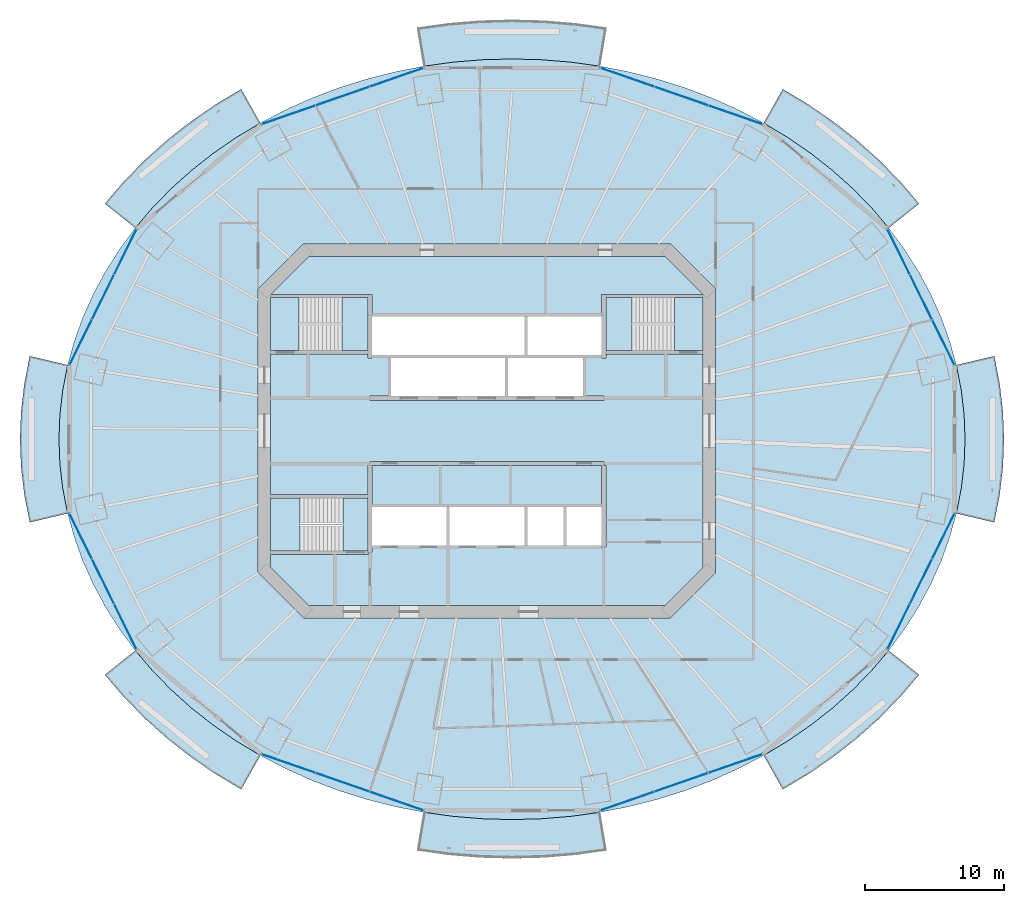
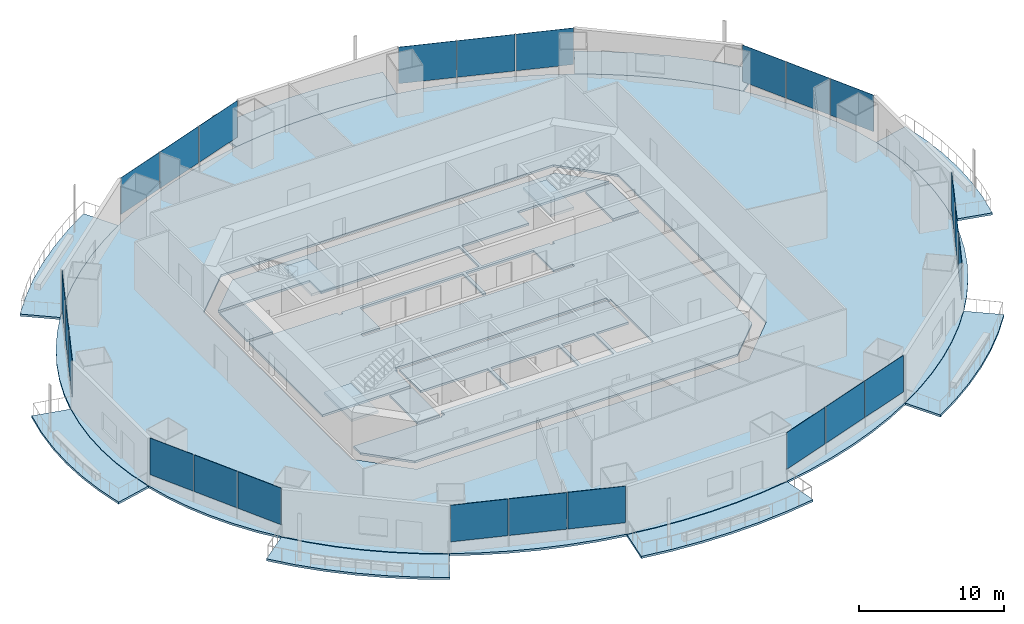
# One storey, part 10 of 20: 24 plates, 16 slabs, 11 elements without a shape of their own.
"""IFC4 building model written with IfcOpenShell, lengths in metres."""

from ifc_helpers import new_model, si_unit, direction, frame, origin, origin_2d, place, context, subcontext, project, spatial, polyline, rectangle, outline, extrude, material, layer, layer_set, type_object, element, aggregate, save


model = new_model("IFC4")

# Units and contexts
model_context = context("Model", 3, precision=1e-05, world=origin(), true_north=direction((0.0, 1.0)))
body_context = subcontext(model_context, "Body", "Model", "MODEL_VIEW")
ifc_project = project(units=[si_unit("LENGTHUNIT", "METRE"), si_unit("AREAUNIT", "SQUARE_METRE"), si_unit("VOLUMEUNIT", "CUBIC_METRE"), si_unit("PLANEANGLEUNIT", "RADIAN"), si_unit("MASSUNIT", "GRAM", prefix="KILO")], contexts=[model_context])

# Site, building, storey
site_placement = place(None, origin())
site = spatial("IfcSite", under=ifc_project, at=site_placement, CompositionType="ELEMENT")
building_placement = place(site_placement, origin())
building = spatial("IfcBuilding", under=site, at=building_placement, Name="Marenthal Gate Tower", CompositionType="ELEMENT")
storey_placement = place(building_placement, frame((0.0, 0.0, 173.5)))
storey = spatial("IfcBuildingStorey", under=building, at=storey_placement, Name="L37", CompositionType="ELEMENT", Elevation=173.5)

# Slabs
ifc_material_1 = material(Name="Concrete 40 MPa", Category="concrete")
ifc_layer_1 = layer(ifc_material_1, 0.179931640625)
ifc_layer_set_1 = layer_set([ifc_layer_1], Name="Balcony deck 180")
slab_type_1 = type_object("IfcSlabType", Name="Balcony deck 180", PredefinedType="USERDEFINED", material=ifc_layer_set_1)
slab_1_placement = place(storey_placement, frame((0.0, 0.0, -0.219970703125)))
element("IfcSlab", 1, at=slab_1_placement, inside=storey, type_object=slab_type_1, Name="Balcony deck L37 bay 2", ObjectType="BALCONY", PredefinedType="USERDEFINED", context=body_context, shape_type="SweptSolid", body=[
    extrude(outline(polyline([(28.88671875, 14.592529296875), (27.64501953125, 16.047119140625), (26.292724609375, 17.430419921875), (24.83544921875, 18.736572265625), (23.279541015625, 19.959716796875), (21.631591796875, 21.094970703125), (19.898681640625, 22.137451171875), (21.2685546875, 24.57958984375), (23.147705078125, 23.448974609375), (24.939453125, 22.214599609375), (26.635498046875, 20.881103515625), (28.228759765625, 19.453125), (29.711669921875, 17.936279296875), (31.077392578125, 16.33642578125), (28.88671875, 14.592529296875)])), origin(), (0.0, 0.0, 1.0), 0.179931640625),
])
slab_2_placement = place(storey_placement, frame((0.0, 0.0, -0.219970703125)))
element("IfcSlab", 2, at=slab_2_placement, inside=storey, type_object=slab_type_1, Name="Balcony deck L37 bay 4", ObjectType="BALCONY", PredefinedType="USERDEFINED", context=body_context, shape_type="SweptSolid", body=[
    extrude(outline(polyline([(8.155517578125, 26.220703125), (6.05224609375, 26.51220703125), (3.9306640625, 26.6875), (1.800048828125, 26.74609375), (-0.33056640625, 26.6875), (-2.4521484375, 26.51220703125), (-4.555419921875, 26.220703125), (-5.0166015625, 28.982421875), (-2.759765625, 29.295166015625), (-0.484375, 29.483154296875), (1.800048828125, 29.5458984375), (4.08447265625, 29.483154296875), (6.35986328125, 29.295166015625), (8.61669921875, 28.982421875), (8.155517578125, 26.220703125)])), origin(), (0.0, 0.0, 1.0), 0.179931640625),
])
slab_3_placement = place(storey_placement, frame((0.0, 0.0, -0.219970703125)))
element("IfcSlab", 3, at=slab_3_placement, inside=storey, type_object=slab_type_1, Name="Balcony deck L37 bay 6", ObjectType="BALCONY", PredefinedType="USERDEFINED", context=body_context, shape_type="SweptSolid", body=[
    extrude(outline(polyline([(-16.298828125, 22.137451171875), (-18.031494140625, 21.094970703125), (-19.679443359375, 19.959716796875), (-21.2353515625, 18.736572265625), (-22.692626953125, 17.430419921875), (-24.045166015625, 16.047119140625), (-25.286865234375, 14.592529296875), (-27.4775390625, 16.33642578125), (-26.11181640625, 17.936279296875), (-24.62890625, 19.453125), (-23.03564453125, 20.881103515625), (-21.33935546875, 22.214599609375), (-19.5478515625, 23.448974609375), (-17.66845703125, 24.57958984375), (-16.298828125, 22.137451171875)])), origin(), (0.0, 0.0, 1.0), 0.179931640625),
])
slab_4_placement = place(storey_placement, frame((0.0, 0.0, -0.219970703125)))
element("IfcSlab", 4, at=slab_4_placement, inside=storey, type_object=slab_type_1, Name="Balcony deck L37 bay 8", ObjectType="BALCONY", PredefinedType="USERDEFINED", context=body_context, shape_type="SweptSolid", body=[
    extrude(outline(polyline([(-30.15087890625, 4.73486328125), (-30.498291015625, 2.969482421875), (-30.707275390625, 1.1884765625), (-30.777099609375, -0.60009765625), (-30.707275390625, -2.388427734375), (-30.498291015625, -4.16943359375), (-30.15087890625, -5.934814453125), (-32.87548828125, -6.58056640625), (-33.264404296875, -4.603271484375), (-33.498779296875, -2.6064453125), (-33.576904296875, -0.60009765625), (-33.498779296875, 1.406494140625), (-33.264404296875, 3.4033203125), (-32.87548828125, 5.380615234375), (-30.15087890625, 4.73486328125)])), origin(), (0.0, 0.0, 1.0), 0.179931640625),
])
slab_5_placement = place(storey_placement, frame((0.0, 0.0, -0.219970703125)))
element("IfcSlab", 5, at=slab_5_placement, inside=storey, type_object=slab_type_1, Name="Balcony deck L37 bay 10", ObjectType="BALCONY", PredefinedType="USERDEFINED", context=body_context, shape_type="SweptSolid", body=[
    extrude(outline(polyline([(-25.286865234375, -15.79248046875), (-24.045166015625, -17.247314453125), (-22.692626953125, -18.630615234375), (-21.2353515625, -19.9365234375), (-19.679443359375, -21.159912109375), (-18.031494140625, -22.294921875), (-16.298828125, -23.33740234375), (-17.66845703125, -25.779541015625), (-19.5478515625, -24.64892578125), (-21.33935546875, -23.414794921875), (-23.03564453125, -22.0810546875), (-24.62890625, -20.6533203125), (-26.11181640625, -19.136474609375), (-27.4775390625, -17.536376953125), (-25.286865234375, -15.79248046875)])), origin(), (0.0, 0.0, 1.0), 0.179931640625),
])
slab_6_placement = place(storey_placement, frame((0.0, 0.0, -0.219970703125)))
element("IfcSlab", 6, at=slab_6_placement, inside=storey, type_object=slab_type_1, Name="Balcony deck L37 bay 12", ObjectType="BALCONY", PredefinedType="USERDEFINED", context=body_context, shape_type="SweptSolid", body=[
    extrude(outline(polyline([(-4.555419921875, -27.420654296875), (-2.4521484375, -27.712158203125), (-0.33056640625, -27.887451171875), (1.800048828125, -27.946044921875), (3.9306640625, -27.887451171875), (6.05224609375, -27.712158203125), (8.155517578125, -27.420654296875), (8.61669921875, -30.182373046875), (6.35986328125, -30.4951171875), (4.08447265625, -30.683349609375), (1.800048828125, -30.74609375), (-0.484375, -30.683349609375), (-2.759765625, -30.4951171875), (-5.0166015625, -30.182373046875), (-4.555419921875, -27.420654296875)])), origin(), (0.0, 0.0, 1.0), 0.179931640625),
])
slab_7_placement = place(storey_placement, frame((0.0, 0.0, -0.219970703125)))
element("IfcSlab", 7, at=slab_7_placement, inside=storey, type_object=slab_type_1, Name="Balcony deck L37 bay 14", ObjectType="BALCONY", PredefinedType="USERDEFINED", context=body_context, shape_type="SweptSolid", body=[
    extrude(outline(polyline([(19.898681640625, -23.33740234375), (21.631591796875, -22.294921875), (23.279541015625, -21.159912109375), (24.83544921875, -19.9365234375), (26.292724609375, -18.630615234375), (27.64501953125, -17.247314453125), (28.88671875, -15.79248046875), (31.077392578125, -17.536376953125), (29.711669921875, -19.136474609375), (28.228759765625, -20.6533203125), (26.635498046875, -22.0810546875), (24.939453125, -23.414794921875), (23.147705078125, -24.64892578125), (21.2685546875, -25.779541015625), (19.898681640625, -23.33740234375)])), origin(), (0.0, 0.0, 1.0), 0.179931640625),
])
slab_8_placement = place(storey_placement, frame((0.0, 0.0, -0.219970703125)))
element("IfcSlab", 8, at=slab_8_placement, inside=storey, type_object=slab_type_1, Name="Balcony deck L37 bay 16", ObjectType="BALCONY", PredefinedType="USERDEFINED", context=body_context, shape_type="SweptSolid", body=[
    extrude(outline(polyline([(33.7509765625, -5.934814453125), (34.098388671875, -4.16943359375), (34.307373046875, -2.388427734375), (34.376953125, -0.60009765625), (34.307373046875, 1.1884765625), (34.098388671875, 2.969482421875), (33.7509765625, 4.73486328125), (36.4755859375, 5.380615234375), (36.864501953125, 3.4033203125), (37.098876953125, 1.406494140625), (37.177001953125, -0.60009765625), (37.098876953125, -2.6064453125), (36.864501953125, -4.603271484375), (36.4755859375, -6.58056640625), (33.7509765625, -5.934814453125)])), origin(), (0.0, 0.0, 1.0), 0.179931640625),
])
ifc_material_2 = material(Name="Concrete 50 MPa", Category="concrete")
ifc_layer_2 = layer(ifc_material_2, 0.179931640625)
ifc_layer_set_2 = layer_set([ifc_layer_2], Name="Core floor slab 180")
slab_type_2 = type_object("IfcSlabType", Name="Core floor slab 180", PredefinedType="FLOOR", material=ifc_layer_set_2)
slab_9_placement = place(storey_placement, frame((0.0, 0.0, -0.179931640625)))
element("IfcSlab", 9, at=slab_9_placement, inside=storey, type_object=slab_type_2, Name="Core floor L37", PredefinedType="FLOOR", context=body_context, shape_type="SweptSolid", body=[
    extrude(outline(polyline([(12.813720703125, -12.550048828125), (-12.813720703125, -12.550048828125), (-15.550048828125, -9.813720703125), (-15.550048828125, -8.875), (-8.550048828125, -8.875), (-8.550048828125, -8.75), (-8.25, -8.75), (-8.25, -8.239990234375), (-5.60009765625, -8.239990234375), (-2.909912109375, -8.239990234375), (-2.909912109375, -5.4599609375), (-5.60009765625, -5.4599609375), (-8.25, -5.4599609375), (-8.25, -2.5), (8.25, -2.5), (8.25, -5.4599609375), (5.7099609375, -5.4599609375), (5.7099609375, -8.239990234375), (8.25, -8.239990234375), (8.25, -8.35009765625), (8.550048828125, -8.35009765625), (8.550048828125, -2.5), (8.39990234375, -2.5), (8.39990234375, -2.199951171875), (-8.39990234375, -2.199951171875), (-8.39990234375, -2.5), (-8.550048828125, -2.5), (-8.550048828125, -4.574951171875), (-15.550048828125, -4.574951171875), (-15.550048828125, 5.52490234375), (-8.550048828125, 5.52490234375), (-8.550048828125, 5.239990234375), (-8.25, 5.239990234375), (-8.25, 5.4599609375), (-5.60009765625, 5.4599609375), (-2.800048828125, 5.4599609375), (0.0, 5.4599609375), (2.68994140625, 5.4599609375), (2.68994140625, 8.239990234375), (0.0, 8.239990234375), (-2.800048828125, 8.239990234375), (-5.60009765625, 8.239990234375), (-8.25, 8.239990234375), (-8.25, 8.35009765625), (-8.25, 9.824951171875), (-8.550048828125, 9.824951171875), (-15.53857421875, 9.824951171875), (-12.813720703125, 12.550048828125), (12.813720703125, 12.550048828125), (15.53857421875, 9.824951171875), (8.550048828125, 9.824951171875), (8.25, 9.824951171875), (8.25, 8.35009765625), (8.25, 8.239990234375), (5.60009765625, 8.239990234375), (2.909912109375, 8.239990234375), (2.909912109375, 5.4599609375), (5.60009765625, 5.4599609375), (8.25, 5.4599609375), (8.25, 5.239990234375), (8.550048828125, 5.239990234375), (8.550048828125, 5.52490234375), (15.550048828125, 5.52490234375), (15.550048828125, -9.813720703125), (12.813720703125, -12.550048828125)]), holes=[polyline([(2.68994140625, -8.239990234375), (2.68994140625, -5.4599609375), (0.0, -5.4599609375), (-2.68994140625, -5.4599609375), (-2.68994140625, -8.239990234375), (0.0, -8.239990234375), (2.68994140625, -8.239990234375)]), polyline([(-6.889892578125, 5.239990234375), (-6.889892578125, 2.5), (-8.39990234375, 2.5), (-8.39990234375, 2.199951171875), (8.39990234375, 2.199951171875), (8.39990234375, 2.5), (6.889892578125, 2.5), (6.889892578125, 5.239990234375), (4.199951171875, 5.239990234375), (1.510009765625, 5.239990234375), (1.510009765625, 2.5), (1.2900390625, 2.5), (1.2900390625, 5.239990234375), (-1.39990234375, 5.239990234375), (-4.199951171875, 5.239990234375), (-6.889892578125, 5.239990234375)]), polyline([(5.489990234375, -5.4599609375), (2.909912109375, -5.4599609375), (2.909912109375, -8.239990234375), (5.489990234375, -8.239990234375), (5.489990234375, -5.4599609375)])]), origin(), (0.0, 0.0, 1.0), 0.179931640625),
])
slab_10_placement = place(storey_placement, frame((0.0, 0.0, -0.179931640625)))
element("IfcSlab", 10, at=slab_10_placement, inside=storey, type_object=slab_type_2, Name="Core floor L37", PredefinedType="FLOOR", context=body_context, shape_type="SweptSolid", body=[
    extrude(outline(polyline([(15.550048828125, 5.77490234375), (13.5, 5.77490234375), (13.5, 9.574951171875), (15.550048828125, 9.574951171875), (15.550048828125, 5.77490234375)])), origin(), (0.0, 0.0, 1.0), 0.179931640625),
])
slab_11_placement = place(storey_placement, frame((0.0, 0.0, -0.179931640625)))
element("IfcSlab", 11, at=slab_11_placement, inside=storey, type_object=slab_type_2, Name="Core floor L37", PredefinedType="FLOOR", context=body_context, shape_type="SweptSolid", body=[
    extrude(outline(polyline([(-15.550048828125, 9.574951171875), (-13.5, 9.574951171875), (-13.5, 5.77490234375), (-15.550048828125, 5.77490234375), (-15.550048828125, 9.574951171875)])), origin(), (0.0, 0.0, 1.0), 0.179931640625),
])
slab_12_placement = place(storey_placement, frame((0.0, 0.0, -0.179931640625)))
element("IfcSlab", 12, at=slab_12_placement, inside=storey, type_object=slab_type_2, Name="Core floor L37", PredefinedType="FLOOR", context=body_context, shape_type="SweptSolid", body=[
    extrude(outline(polyline([(-8.550048828125, -8.625), (-10.35009765625, -8.625), (-10.35009765625, -4.824951171875), (-8.550048828125, -4.824951171875), (-8.550048828125, -8.625)])), origin(), (0.0, 0.0, 1.0), 0.179931640625),
])
ifc_material_3 = material(Name="Concrete 35 MPa", Category="concrete")
ifc_layer_3 = layer(ifc_material_3, 0.179931640625)
ifc_layer_set_3 = layer_set([ifc_layer_3], Name="Floor slab 180")
slab_type_3 = type_object("IfcSlabType", Name="Floor slab 180", PredefinedType="FLOOR", material=ifc_layer_set_3)
slab_13_placement = place(storey_placement, frame((0.0, 0.0, -0.179931640625)))
element("IfcSlab", 13, at=slab_13_placement, inside=storey, type_object=slab_type_3, Name="SL-L37-01", PredefinedType="FLOOR", context=body_context, shape_type="SweptSolid", body=[
    extrude(outline(polyline([(34.376953125, -0.60009765625), (34.307373046875, 1.1884765625), (34.098388671875, 2.969482421875), (33.7509765625, 4.73486328125), (33.26708984375, 6.477783203125), (32.648193359375, 8.190185546875), (31.897216796875, 9.864990234375), (31.017333984375, 11.494873046875), (30.012451171875, 13.072998046875), (28.88671875, 14.592529296875), (27.64501953125, 16.047119140625), (26.292724609375, 17.430419921875), (24.83544921875, 18.736572265625), (23.279541015625, 19.959716796875), (21.631591796875, 21.094970703125), (19.898681640625, 22.137451171875), (18.08837890625, 23.082275390625), (16.20849609375, 23.92578125), (14.2666015625, 24.664306640625), (12.271484375, 25.294921875), (10.2314453125, 25.814208984375), (8.155517578125, 26.220703125), (6.05224609375, 26.51220703125), (3.9306640625, 26.6875), (1.800048828125, 26.74609375), (-0.33056640625, 26.6875), (-2.4521484375, 26.51220703125), (-4.555419921875, 26.220703125), (-6.631591796875, 25.814208984375), (-8.67138671875, 25.294921875), (-10.666748046875, 24.664306640625), (-12.6083984375, 23.92578125), (-14.488525390625, 23.082275390625), (-16.298828125, 22.137451171875), (-18.031494140625, 21.094970703125), (-19.679443359375, 19.959716796875), (-21.2353515625, 18.736572265625), (-22.692626953125, 17.430419921875), (-24.045166015625, 16.047119140625), (-25.286865234375, 14.592529296875), (-26.41259765625, 13.072998046875), (-27.41748046875, 11.494873046875), (-28.297119140625, 9.864990234375), (-29.048095703125, 8.190185546875), (-29.6669921875, 6.477783203125), (-30.15087890625, 4.73486328125), (-30.498291015625, 2.969482421875), (-30.707275390625, 1.1884765625), (-30.777099609375, -0.60009765625), (-30.707275390625, -2.388427734375), (-30.498291015625, -4.16943359375), (-30.15087890625, -5.934814453125), (-29.6669921875, -7.677734375), (-29.048095703125, -9.39013671875), (-28.297119140625, -11.06494140625), (-27.41748046875, -12.69482421875), (-26.41259765625, -14.27294921875), (-25.286865234375, -15.79248046875), (-24.045166015625, -17.247314453125), (-22.692626953125, -18.630615234375), (-21.2353515625, -19.9365234375), (-19.679443359375, -21.159912109375), (-18.031494140625, -22.294921875), (-16.298828125, -23.33740234375), (-14.488525390625, -24.2822265625), (-12.6083984375, -25.1259765625), (-10.666748046875, -25.864501953125), (-8.67138671875, -26.494873046875), (-6.631591796875, -27.01416015625), (-4.555419921875, -27.420654296875), (-2.4521484375, -27.712158203125), (-0.33056640625, -27.887451171875), (1.800048828125, -27.946044921875), (3.9306640625, -27.887451171875), (6.05224609375, -27.712158203125), (8.155517578125, -27.420654296875), (10.2314453125, -27.01416015625), (12.271484375, -26.494873046875), (14.2666015625, -25.864501953125), (16.20849609375, -25.1259765625), (18.08837890625, -24.2822265625), (19.898681640625, -23.33740234375), (21.631591796875, -22.294921875), (23.279541015625, -21.159912109375), (24.83544921875, -19.9365234375), (26.292724609375, -18.630615234375), (27.64501953125, -17.247314453125), (28.88671875, -15.79248046875), (30.012451171875, -14.27294921875), (31.017333984375, -12.69482421875), (31.897216796875, -11.06494140625), (32.648193359375, -9.39013671875), (33.26708984375, -7.677734375), (33.7509765625, -5.934814453125), (34.098388671875, -4.16943359375), (34.307373046875, -2.388427734375), (34.376953125, -0.60009765625)]), holes=[polyline([(13.186279296875, -13.449951171875), (16.449951171875, -10.186279296875), (16.449951171875, 10.186279296875), (13.186279296875, 13.449951171875), (-13.186279296875, 13.449951171875), (-16.449951171875, 10.186279296875), (-16.449951171875, -10.186279296875), (-13.186279296875, -13.449951171875), (13.186279296875, -13.449951171875)])]), origin(), (0.0, 0.0, 1.0), 0.179931640625),
])

# Curtain wall, plates
ifc_material_4 = material(Name="Aluminium and glass", Category="aluminium")
curtain_wall_type = type_object("IfcCurtainWallType", Name="Curtain wall typical mid", PredefinedType="NOTDEFINED", material=ifc_material_4)
curtain_wall_1_placement = place(storey_placement, origin())
curtain_wall_1 = element("IfcCurtainWall", 14, at=curtain_wall_1_placement, inside=storey, type_object=curtain_wall_type, Name="Curtain wall L37 bay 1", PredefinedType="NOTDEFINED")
ifc_material_5 = material(Name="Glass, laminated insulating unit", Category="glass")
ifc_layer_4 = layer(ifc_material_5, 0.030029296875)
ifc_layer_set_4 = layer_set([ifc_layer_4], Name="Glass panel 30 typical mid")
plate_type = type_object("IfcPlateType", Name="Glass panel 30 typical mid", PredefinedType="CURTAIN_PANEL", material=ifc_layer_set_4)
plate_1_placement = place(storey_placement, frame((32.816650390625, 6.365234375, 0.89990234375), z_axis=(0.0, 0.0, 1.0), x_axis=(-0.442753381428, 0.89664343149, 0.0)))
plate_1 = element("IfcPlate", 15, at=plate_1_placement, type_object=plate_type, Name="Glass panel L37 bay 1.1", PredefinedType="CURTAIN_PANEL", context=body_context, shape_type="SweptSolid", body=[
    extrude(rectangle(XDim=3.568603515625, YDim=0.030029296875, at=origin_2d()), origin(), (0.0, 0.0, 1.0), 3.070068359375),
])
plate_2_placement = place(storey_placement, frame((31.210205078125, 9.61865234375, 0.89990234375), z_axis=(0.0, 0.0, 1.0), x_axis=(-0.442753381428, 0.89664343149, 0.0)))
plate_2 = element("IfcPlate", 16, at=plate_2_placement, type_object=plate_type, Name="Glass panel L37 bay 1.2", PredefinedType="CURTAIN_PANEL", context=body_context, shape_type="SweptSolid", body=[
    extrude(rectangle(XDim=3.568603515625, YDim=0.030029296875, at=origin_2d()), origin(), (0.0, 0.0, 1.0), 3.070068359375),
])
plate_3_placement = place(storey_placement, frame((29.603515625, 12.872314453125, 0.89990234375), z_axis=(0.0, 0.0, 1.0), x_axis=(-0.442753381428, 0.89664343149, 0.0)))
plate_3 = element("IfcPlate", 17, at=plate_3_placement, type_object=plate_type, Name="Glass panel L37 bay 1.3", PredefinedType="CURTAIN_PANEL", context=body_context, shape_type="SweptSolid", body=[
    extrude(rectangle(XDim=3.568603515625, YDim=0.030029296875, at=origin_2d()), origin(), (0.0, 0.0, 1.0), 3.070068359375),
])
aggregate(curtain_wall_1, [plate_1, plate_2, plate_3])

curtain_wall_2_placement = place(storey_placement, origin())
curtain_wall_2 = element("IfcCurtainWall", 18, at=curtain_wall_2_placement, inside=storey, type_object=curtain_wall_type, Name="Curtain wall L37 bay 3", PredefinedType="NOTDEFINED")
plate_4_placement = place(storey_placement, frame((17.86328125, 22.7216796875, 0.89990234375), z_axis=(0.0, 0.0, 1.0), x_axis=(-0.944604464856, 0.32821091538, 0.0)))
plate_4 = element("IfcPlate", 19, at=plate_4_placement, type_object=plate_type, Name="Glass panel L37 bay 3.1", PredefinedType="CURTAIN_PANEL", context=body_context, shape_type="SweptSolid", body=[
    extrude(rectangle(XDim=4.048583984375, YDim=0.030029296875, at=origin_2d()), origin(), (0.0, 0.0, 1.0), 3.070068359375),
])
plate_5_placement = place(storey_placement, frame((13.982177734375, 24.0703125, 0.89990234375), z_axis=(0.0, 0.0, 1.0), x_axis=(-0.944604464856, 0.32821091538, 0.0)))
plate_5 = element("IfcPlate", 20, at=plate_5_placement, type_object=plate_type, Name="Glass panel L37 bay 3.2", PredefinedType="CURTAIN_PANEL", context=body_context, shape_type="SweptSolid", body=[
    extrude(rectangle(XDim=4.048828125, YDim=0.030029296875, at=origin_2d()), origin(), (0.0, 0.0, 1.0), 3.070068359375),
])
plate_6_placement = place(storey_placement, frame((10.100830078125, 25.418701171875, 0.89990234375), z_axis=(0.0, 0.0, 1.0), x_axis=(-0.944604464856, 0.32821091538, 0.0)))
plate_6 = element("IfcPlate", 21, at=plate_6_placement, type_object=plate_type, Name="Glass panel L37 bay 3.3", PredefinedType="CURTAIN_PANEL", context=body_context, shape_type="SweptSolid", body=[
    extrude(rectangle(XDim=4.048583984375, YDim=0.030029296875, at=origin_2d()), origin(), (0.0, 0.0, 1.0), 3.070068359375),
])
aggregate(curtain_wall_2, [plate_4, plate_5, plate_6])

curtain_wall_3_placement = place(storey_placement, origin())
curtain_wall_3 = element("IfcCurtainWall", 22, at=curtain_wall_3_placement, inside=storey, type_object=curtain_wall_type, Name="Curtain wall L37 bay 5", PredefinedType="NOTDEFINED")
plate_7_placement = place(storey_placement, frame((-6.5009765625, 25.418701171875, 0.89990234375), z_axis=(0.0, 0.0, 1.0), x_axis=(-0.944604464856, -0.32821091538, 0.0)))
plate_7 = element("IfcPlate", 23, at=plate_7_placement, type_object=plate_type, Name="Glass panel L37 bay 5.1", PredefinedType="CURTAIN_PANEL", context=body_context, shape_type="SweptSolid", body=[
    extrude(rectangle(XDim=4.048583984375, YDim=0.030029296875, at=origin_2d()), origin(), (0.0, 0.0, 1.0), 3.070068359375),
])
plate_8_placement = place(storey_placement, frame((-10.382080078125, 24.0703125, 0.89990234375), z_axis=(0.0, 0.0, 1.0), x_axis=(-0.944604464856, -0.32821091538, 0.0)))
plate_8 = element("IfcPlate", 24, at=plate_8_placement, type_object=plate_type, Name="Glass panel L37 bay 5.2", PredefinedType="CURTAIN_PANEL", context=body_context, shape_type="SweptSolid", body=[
    extrude(rectangle(XDim=4.048828125, YDim=0.030029296875, at=origin_2d()), origin(), (0.0, 0.0, 1.0), 3.070068359375),
])
plate_9_placement = place(storey_placement, frame((-14.26318359375, 22.7216796875, 0.89990234375), z_axis=(0.0, 0.0, 1.0), x_axis=(-0.944604464856, -0.32821091538, 0.0)))
plate_9 = element("IfcPlate", 25, at=plate_9_placement, type_object=plate_type, Name="Glass panel L37 bay 5.3", PredefinedType="CURTAIN_PANEL", context=body_context, shape_type="SweptSolid", body=[
    extrude(rectangle(XDim=4.048583984375, YDim=0.030029296875, at=origin_2d()), origin(), (0.0, 0.0, 1.0), 3.070068359375),
])
aggregate(curtain_wall_3, [plate_7, plate_8, plate_9])

curtain_wall_4_placement = place(storey_placement, origin())
curtain_wall_4 = element("IfcCurtainWall", 26, at=curtain_wall_4_placement, inside=storey, type_object=curtain_wall_type, Name="Curtain wall L37 bay 7", PredefinedType="NOTDEFINED")
plate_10_placement = place(storey_placement, frame((-26.003662109375, 12.872314453125, 0.89990234375), z_axis=(0.0, 0.0, 1.0), x_axis=(-0.442753381428, -0.89664343149, 0.0)))
plate_10 = element("IfcPlate", 27, at=plate_10_placement, type_object=plate_type, Name="Glass panel L37 bay 7.1", PredefinedType="CURTAIN_PANEL", context=body_context, shape_type="SweptSolid", body=[
    extrude(rectangle(XDim=3.568603515625, YDim=0.030029296875, at=origin_2d()), origin(), (0.0, 0.0, 1.0), 3.070068359375),
])
plate_11_placement = place(storey_placement, frame((-27.610107421875, 9.61865234375, 0.89990234375), z_axis=(0.0, 0.0, 1.0), x_axis=(-0.442753381428, -0.89664343149, 0.0)))
plate_11 = element("IfcPlate", 28, at=plate_11_placement, type_object=plate_type, Name="Glass panel L37 bay 7.2", PredefinedType="CURTAIN_PANEL", context=body_context, shape_type="SweptSolid", body=[
    extrude(rectangle(XDim=3.568603515625, YDim=0.030029296875, at=origin_2d()), origin(), (0.0, 0.0, 1.0), 3.070068359375),
])
plate_12_placement = place(storey_placement, frame((-29.216796875, 6.365234375, 0.89990234375), z_axis=(0.0, 0.0, 1.0), x_axis=(-0.442753381428, -0.89664343149, 0.0)))
plate_12 = element("IfcPlate", 29, at=plate_12_placement, type_object=plate_type, Name="Glass panel L37 bay 7.3", PredefinedType="CURTAIN_PANEL", context=body_context, shape_type="SweptSolid", body=[
    extrude(rectangle(XDim=3.568603515625, YDim=0.030029296875, at=origin_2d()), origin(), (0.0, 0.0, 1.0), 3.070068359375),
])
aggregate(curtain_wall_4, [plate_10, plate_11, plate_12])

curtain_wall_5_placement = place(storey_placement, origin())
curtain_wall_5 = element("IfcCurtainWall", 30, at=curtain_wall_5_placement, inside=storey, type_object=curtain_wall_type, Name="Curtain wall L37 bay 9", PredefinedType="NOTDEFINED")
plate_13_placement = place(storey_placement, frame((-29.216796875, -7.565185546875, 0.89990234375), z_axis=(0.0, 0.0, 1.0), x_axis=(0.442753381428, -0.89664343149, 0.0)))
plate_13 = element("IfcPlate", 31, at=plate_13_placement, type_object=plate_type, Name="Glass panel L37 bay 9.1", PredefinedType="CURTAIN_PANEL", context=body_context, shape_type="SweptSolid", body=[
    extrude(rectangle(XDim=3.568603515625, YDim=0.030029296875, at=origin_2d()), origin(), (0.0, 0.0, 1.0), 3.070068359375),
])
plate_14_placement = place(storey_placement, frame((-27.610107421875, -10.81884765625, 0.89990234375), z_axis=(0.0, 0.0, 1.0), x_axis=(0.442753381428, -0.89664343149, 0.0)))
plate_14 = element("IfcPlate", 32, at=plate_14_placement, type_object=plate_type, Name="Glass panel L37 bay 9.2", PredefinedType="CURTAIN_PANEL", context=body_context, shape_type="SweptSolid", body=[
    extrude(rectangle(XDim=3.568603515625, YDim=0.030029296875, at=origin_2d()), origin(), (0.0, 0.0, 1.0), 3.070068359375),
])
plate_15_placement = place(storey_placement, frame((-26.003662109375, -14.072265625, 0.89990234375), z_axis=(0.0, 0.0, 1.0), x_axis=(0.442753381428, -0.89664343149, 0.0)))
plate_15 = element("IfcPlate", 33, at=plate_15_placement, type_object=plate_type, Name="Glass panel L37 bay 9.3", PredefinedType="CURTAIN_PANEL", context=body_context, shape_type="SweptSolid", body=[
    extrude(rectangle(XDim=3.568603515625, YDim=0.030029296875, at=origin_2d()), origin(), (0.0, 0.0, 1.0), 3.070068359375),
])
aggregate(curtain_wall_5, [plate_13, plate_14, plate_15])

curtain_wall_6_placement = place(storey_placement, origin())
curtain_wall_6 = element("IfcCurtainWall", 34, at=curtain_wall_6_placement, inside=storey, type_object=curtain_wall_type, Name="Curtain wall L37 bay 11", PredefinedType="NOTDEFINED")
plate_16_placement = place(storey_placement, frame((-14.26318359375, -23.921630859375, 0.89990234375), z_axis=(0.0, 0.0, 1.0), x_axis=(0.944604464856, -0.32821091538, 0.0)))
plate_16 = element("IfcPlate", 35, at=plate_16_placement, type_object=plate_type, Name="Glass panel L37 bay 11.1", PredefinedType="CURTAIN_PANEL", context=body_context, shape_type="SweptSolid", body=[
    extrude(rectangle(XDim=4.048583984375, YDim=0.030029296875, at=origin_2d()), origin(), (0.0, 0.0, 1.0), 3.070068359375),
])
plate_17_placement = place(storey_placement, frame((-10.382080078125, -25.270263671875, 0.89990234375), z_axis=(0.0, 0.0, 1.0), x_axis=(0.944604464856, -0.32821091538, 0.0)))
plate_17 = element("IfcPlate", 36, at=plate_17_placement, type_object=plate_type, Name="Glass panel L37 bay 11.2", PredefinedType="CURTAIN_PANEL", context=body_context, shape_type="SweptSolid", body=[
    extrude(rectangle(XDim=4.048828125, YDim=0.030029296875, at=origin_2d()), origin(), (0.0, 0.0, 1.0), 3.070068359375),
])
plate_18_placement = place(storey_placement, frame((-6.5009765625, -26.618896484375, 0.89990234375), z_axis=(0.0, 0.0, 1.0), x_axis=(0.944604464856, -0.32821091538, 0.0)))
plate_18 = element("IfcPlate", 37, at=plate_18_placement, type_object=plate_type, Name="Glass panel L37 bay 11.3", PredefinedType="CURTAIN_PANEL", context=body_context, shape_type="SweptSolid", body=[
    extrude(rectangle(XDim=4.048583984375, YDim=0.030029296875, at=origin_2d()), origin(), (0.0, 0.0, 1.0), 3.070068359375),
])
aggregate(curtain_wall_6, [plate_16, plate_17, plate_18])

curtain_wall_7_placement = place(storey_placement, origin())
curtain_wall_7 = element("IfcCurtainWall", 38, at=curtain_wall_7_placement, inside=storey, type_object=curtain_wall_type, Name="Curtain wall L37 bay 13", PredefinedType="NOTDEFINED")
plate_19_placement = place(storey_placement, frame((10.100830078125, -26.618896484375, 0.89990234375), z_axis=(0.0, 0.0, 1.0), x_axis=(0.944604464856, 0.32821091538, 0.0)))
plate_19 = element("IfcPlate", 39, at=plate_19_placement, type_object=plate_type, Name="Glass panel L37 bay 13.1", PredefinedType="CURTAIN_PANEL", context=body_context, shape_type="SweptSolid", body=[
    extrude(rectangle(XDim=4.048583984375, YDim=0.030029296875, at=origin_2d()), origin(), (0.0, 0.0, 1.0), 3.070068359375),
])
plate_20_placement = place(storey_placement, frame((13.98193359375, -25.270263671875, 0.89990234375), z_axis=(0.0, 0.0, 1.0), x_axis=(0.944604464856, 0.32821091538, 0.0)))
plate_20 = element("IfcPlate", 40, at=plate_20_placement, type_object=plate_type, Name="Glass panel L37 bay 13.2", PredefinedType="CURTAIN_PANEL", context=body_context, shape_type="SweptSolid", body=[
    extrude(rectangle(XDim=4.048828125, YDim=0.030029296875, at=origin_2d()), origin(), (0.0, 0.0, 1.0), 3.070068359375),
])
plate_21_placement = place(storey_placement, frame((17.86328125, -23.921630859375, 0.89990234375), z_axis=(0.0, 0.0, 1.0), x_axis=(0.944604464856, 0.32821091538, 0.0)))
plate_21 = element("IfcPlate", 41, at=plate_21_placement, type_object=plate_type, Name="Glass panel L37 bay 13.3", PredefinedType="CURTAIN_PANEL", context=body_context, shape_type="SweptSolid", body=[
    extrude(rectangle(XDim=4.048583984375, YDim=0.030029296875, at=origin_2d()), origin(), (0.0, 0.0, 1.0), 3.070068359375),
])
aggregate(curtain_wall_7, [plate_19, plate_20, plate_21])

curtain_wall_8_placement = place(storey_placement, origin())
curtain_wall_8 = element("IfcCurtainWall", 42, at=curtain_wall_8_placement, inside=storey, type_object=curtain_wall_type, Name="Curtain wall L37 bay 15", PredefinedType="NOTDEFINED")
plate_22_placement = place(storey_placement, frame((29.603515625, -14.072265625, 0.89990234375), z_axis=(0.0, 0.0, 1.0), x_axis=(0.442753381428, 0.89664343149, 0.0)))
plate_22 = element("IfcPlate", 43, at=plate_22_placement, type_object=plate_type, Name="Glass panel L37 bay 15.1", PredefinedType="CURTAIN_PANEL", context=body_context, shape_type="SweptSolid", body=[
    extrude(rectangle(XDim=3.568603515625, YDim=0.030029296875, at=origin_2d()), origin(), (0.0, 0.0, 1.0), 3.070068359375),
])
plate_23_placement = place(storey_placement, frame((31.210205078125, -10.81884765625, 0.89990234375), z_axis=(0.0, 0.0, 1.0), x_axis=(0.442753381428, 0.89664343149, 0.0)))
plate_23 = element("IfcPlate", 44, at=plate_23_placement, type_object=plate_type, Name="Glass panel L37 bay 15.2", PredefinedType="CURTAIN_PANEL", context=body_context, shape_type="SweptSolid", body=[
    extrude(rectangle(XDim=3.568603515625, YDim=0.030029296875, at=origin_2d()), origin(), (0.0, 0.0, 1.0), 3.070068359375),
])
plate_24_placement = place(storey_placement, frame((32.816650390625, -7.565185546875, 0.89990234375), z_axis=(0.0, 0.0, 1.0), x_axis=(0.442753381428, 0.89664343149, 0.0)))
plate_24 = element("IfcPlate", 45, at=plate_24_placement, type_object=plate_type, Name="Glass panel L37 bay 15.3", PredefinedType="CURTAIN_PANEL", context=body_context, shape_type="SweptSolid", body=[
    extrude(rectangle(XDim=3.568603515625, YDim=0.030029296875, at=origin_2d()), origin(), (0.0, 0.0, 1.0), 3.070068359375),
])
aggregate(curtain_wall_8, [plate_22, plate_23, plate_24])

# Stair, slab
ifc_material_6 = material(Name="Concrete 40 MPa", Category="concrete")
stair_type = type_object("IfcStairType", Name="Exit stair 1800", PredefinedType="HALF_TURN_STAIR", material=ifc_material_6)
stair_1_placement = place(storey_placement, origin())
stair_1 = element("IfcStair", 46, at=stair_1_placement, inside=storey, type_object=stair_type, Name="Stair ST1", PredefinedType="HALF_TURN_STAIR")
ifc_material_7 = material(Name="Concrete 40 MPa", Category="concrete")
ifc_layer_5 = layer(ifc_material_7, 0.199951171875)
ifc_layer_set_5 = layer_set([ifc_layer_5], Name="Stair landing 200")
slab_type_4 = type_object("IfcSlabType", Name="Stair landing 200", PredefinedType="LANDING", material=ifc_layer_set_5)
slab_14_placement = place(storey_placement, frame((0.0, 0.0, 1.875)))
slab_14 = element("IfcSlab", 47, at=slab_14_placement, type_object=slab_type_4, Name="ST1 landing 1", PredefinedType="LANDING", context=body_context, shape_type="SweptSolid", body=[
    extrude(outline(polyline([(-10.419921875, 5.77490234375), (-8.550048828125, 5.77490234375), (-8.550048828125, 9.574951171875), (-10.419921875, 9.574951171875), (-10.419921875, 5.77490234375)])), origin(), (0.0, 0.0, 1.0), 0.199951171875),
])
aggregate(stair_1, [slab_14])

stair_2_placement = place(storey_placement, origin())
stair_2 = element("IfcStair", 48, at=stair_2_placement, inside=storey, type_object=stair_type, Name="Stair ST2", PredefinedType="HALF_TURN_STAIR")
slab_15_placement = place(storey_placement, frame((0.0, 0.0, 1.875)))
slab_15 = element("IfcSlab", 49, at=slab_15_placement, type_object=slab_type_4, Name="ST2 landing 1", PredefinedType="LANDING", context=body_context, shape_type="SweptSolid", body=[
    extrude(outline(polyline([(-15.550048828125, -8.625), (-13.429931640625, -8.625), (-13.429931640625, -4.824951171875), (-15.550048828125, -4.824951171875), (-15.550048828125, -8.625)])), origin(), (0.0, 0.0, 1.0), 0.199951171875),
])
aggregate(stair_2, [slab_15])

stair_3_placement = place(storey_placement, origin())
stair_3 = element("IfcStair", 50, at=stair_3_placement, inside=storey, type_object=stair_type, Name="Stair ST3", PredefinedType="HALF_TURN_STAIR")
slab_16_placement = place(storey_placement, frame((0.0, 0.0, 1.875)))
slab_16 = element("IfcSlab", 51, at=slab_16_placement, type_object=slab_type_4, Name="ST3 landing 1", PredefinedType="LANDING", context=body_context, shape_type="SweptSolid", body=[
    extrude(outline(polyline([(8.550048828125, 5.77490234375), (10.419921875, 5.77490234375), (10.419921875, 9.574951171875), (8.550048828125, 9.574951171875), (8.550048828125, 5.77490234375)])), origin(), (0.0, 0.0, 1.0), 0.199951171875),
])
aggregate(stair_3, [slab_16])

save(model, "model.ifc")
